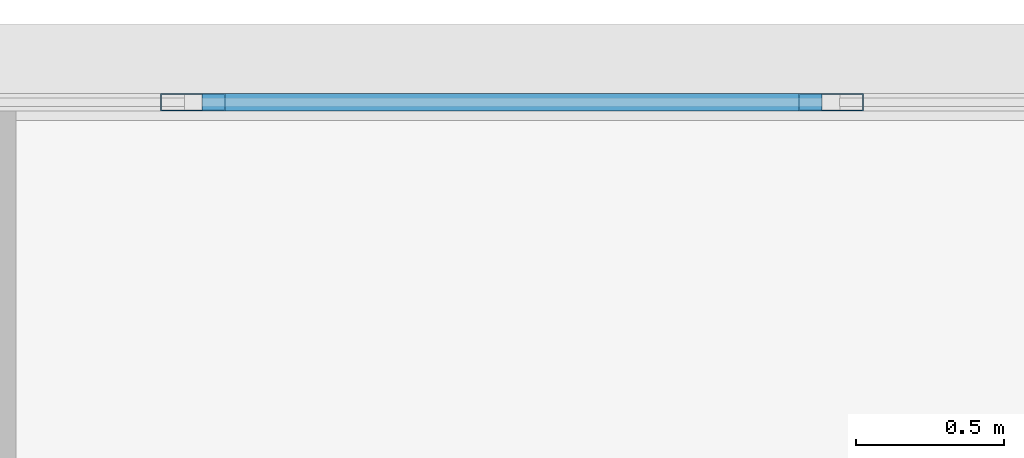
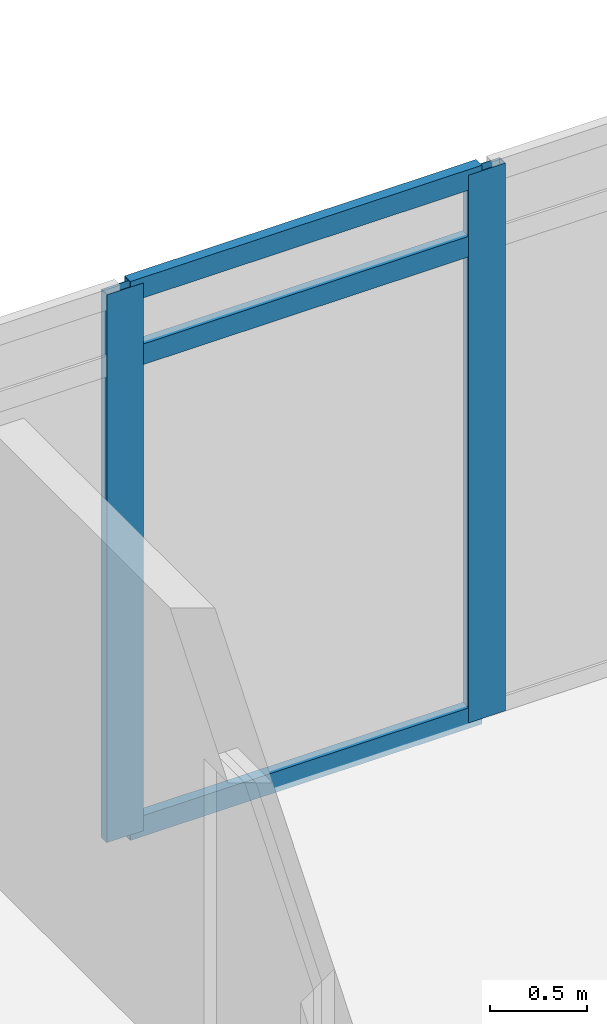
# One storey, part 20 of 37: 5 members, 1 element without a shape of its own.
"""IFC4 building model written with IfcOpenShell, lengths in metres."""

from ifc_helpers import new_model, si_unit, direction, frame, origin, origin_2d, place, context, subcontext, project, spatial, hollow_rectangle, extrude, material, material_profile, profile_set, type_object, element, aggregate, save


model = new_model("IFC4")

# Units and contexts
model_context = context("Model", 3, precision=1e-05, world=origin(), true_north=direction((0.0, 1.0)))
body_context = subcontext(model_context, "Body", "Model", "MODEL_VIEW")
ifc_project = project(units=[si_unit("LENGTHUNIT", "METRE"), si_unit("AREAUNIT", "SQUARE_METRE"), si_unit("VOLUMEUNIT", "CUBIC_METRE"), si_unit("PLANEANGLEUNIT", "RADIAN"), si_unit("MASSUNIT", "GRAM", prefix="KILO")], contexts=[model_context])

# Site, building, storey
site_placement = place(None, origin())
site = spatial("IfcSite", under=ifc_project, at=site_placement, CompositionType="ELEMENT")
building_placement = place(site_placement, origin())
building = spatial("IfcBuilding", under=site, at=building_placement, Name="Ostrander Bayou Hotel Tower", CompositionType="ELEMENT")
storey_placement = place(building_placement, frame((0.0, 0.0, 198.25)))
storey = spatial("IfcBuildingStorey", under=building, at=storey_placement, Name="L49", CompositionType="ELEMENT", Elevation=198.25)

# Curtain wall, members
ifc_material_1 = material(Name="Aluminium and clear glass", Category="aluminium")
curtain_wall_type = type_object("IfcCurtainWallType", Name="CW-BAR glazed wall", PredefinedType="NOTDEFINED", material=ifc_material_1)
curtain_wall_placement = place(storey_placement, origin())
curtain_wall = element("IfcCurtainWall", 1, at=curtain_wall_placement, inside=storey, type_object=curtain_wall_type, Name="CW-BAR L49:SB4N:T", PredefinedType="NOTDEFINED")
ifc_material_2 = material(Name="Aluminium", Category="aluminium")
ifc_material_profile_1 = material_profile(ifc_material_2, hollow_rectangle(XDim=0.06005859375, YDim=0.219970703125, WallThickness=0.00390625, at=origin_2d()))
ifc_profile_set_1 = profile_set([ifc_material_profile_1], Name="Aluminium")
member_type_1 = type_object("IfcMemberType", Name="CW-BR mullion 60 x 220 mm", PredefinedType="MULLION", material=ifc_profile_set_1)
member_1_placement = place(storey_placement, frame((-3.23388671875, 27.916015625, 0.0), z_axis=(0.0, 0.0, 1.0), x_axis=(0.0, 1.0, 0.0)))
member_1 = element("IfcMember", 2, at=member_1_placement, type_object=member_type_1, Name="CW-BAR mullion 5", PredefinedType="MULLION", context=body_context, shape_type="SweptSolid", body=[
    extrude(hollow_rectangle(XDim=0.06005859375, YDim=0.219970703125, WallThickness=0.00390625, at=origin_2d()), origin(), (0.0, 0.0, 1.0), 3.449951171875),
])
member_2_placement = place(storey_placement, frame((-1.077880859375, 27.916015625, 0.0), z_axis=(0.0, 0.0, 1.0), x_axis=(0.0, 1.0, 0.0)))
member_2 = element("IfcMember", 3, at=member_2_placement, type_object=member_type_1, Name="CW-BAR mullion 6", PredefinedType="MULLION", context=body_context, shape_type="SweptSolid", body=[
    extrude(hollow_rectangle(XDim=0.06005859375, YDim=0.219970703125, WallThickness=0.00390625, at=origin_2d()), origin(), (0.0, 0.0, 1.0), 3.449951171875),
])
ifc_material_3 = material(Name="Aluminium", Category="aluminium")
ifc_material_profile_2 = material_profile(ifc_material_3, hollow_rectangle(XDim=0.06005859375, YDim=0.1298828125, WallThickness=0.00390625, at=origin_2d()))
ifc_profile_set_2 = profile_set([ifc_material_profile_2], Name="Aluminium")
member_type_2 = type_object("IfcMemberType", Name="CW-BR transom 60 x 130 mm", PredefinedType="USERDEFINED", material=ifc_profile_set_2)
member_3_placement = place(storey_placement, frame((-3.203857421875, 27.916015625, 0.030029296875), z_axis=(1.0, 0.0, 0.0), x_axis=(0.0, 1.0, 0.0)))
member_3 = element("IfcMember", 4, at=member_3_placement, type_object=member_type_2, Name="CW-BAR transom 5.1", ObjectType="TRANSOM", PredefinedType="USERDEFINED", context=body_context, shape_type="SweptSolid", body=[
    extrude(hollow_rectangle(XDim=0.06005859375, YDim=0.1298828125, WallThickness=0.00390625, at=origin_2d()), origin(), (0.0, 0.0, 1.0), 2.095947265625),
])
member_4_placement = place(storey_placement, frame((-3.203857421875, 27.916015625, 3.0), z_axis=(1.0, 0.0, 0.0), x_axis=(0.0, 1.0, 0.0)))
member_4 = element("IfcMember", 5, at=member_4_placement, type_object=member_type_2, Name="CW-BAR transom 5.2", ObjectType="TRANSOM", PredefinedType="USERDEFINED", context=body_context, shape_type="SweptSolid", body=[
    extrude(hollow_rectangle(XDim=0.06005859375, YDim=0.1298828125, WallThickness=0.00390625, at=origin_2d()), origin(), (0.0, 0.0, 1.0), 2.095947265625),
])
member_5_placement = place(storey_placement, frame((-3.203857421875, 27.916015625, 3.419921875), z_axis=(1.0, 0.0, 0.0), x_axis=(0.0, 1.0, 0.0)))
member_5 = element("IfcMember", 6, at=member_5_placement, type_object=member_type_2, Name="CW-BAR transom 5.3", ObjectType="TRANSOM", PredefinedType="USERDEFINED", context=body_context, shape_type="SweptSolid", body=[
    extrude(hollow_rectangle(XDim=0.06005859375, YDim=0.1298828125, WallThickness=0.00390625, at=origin_2d()), origin(), (0.0, 0.0, 1.0), 2.095947265625),
])
aggregate(curtain_wall, [member_1, member_2, member_3, member_4, member_5])

save(model, "model.ifc")
